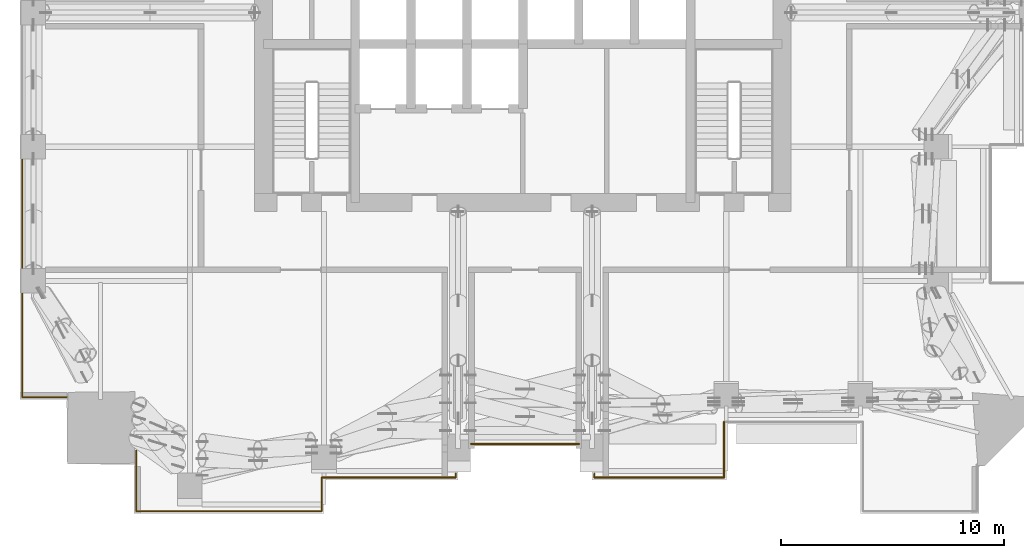
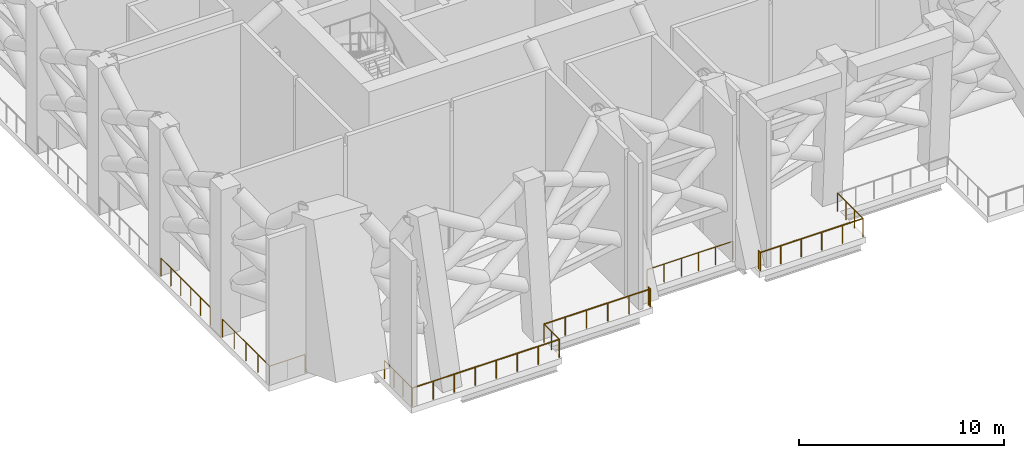
# One storey, part 15 of 19: 12 railings.
"""IFC4 building model written with IfcOpenShell, lengths in metres."""

from ifc_helpers import new_model, si_unit, direction, frame, origin, origin_2d, place, context, subcontext, project, spatial, circle, extrude, material, type_object, element, save


model = new_model("IFC4")

# Units and contexts
model_context = context("Model", 3, precision=1e-05, world=origin(), true_north=direction((0.0, 1.0)))
body_context = subcontext(model_context, "Body", "Model", "MODEL_VIEW")
ifc_project = project(units=[si_unit("LENGTHUNIT", "METRE"), si_unit("AREAUNIT", "SQUARE_METRE"), si_unit("VOLUMEUNIT", "CUBIC_METRE"), si_unit("PLANEANGLEUNIT", "RADIAN"), si_unit("MASSUNIT", "GRAM", prefix="KILO")], contexts=[model_context])

# Site, building, storey
site_placement = place(None, origin())
site = spatial("IfcSite", under=ifc_project, at=site_placement, CompositionType="ELEMENT")
building_placement = place(site_placement, origin())
building = spatial("IfcBuilding", under=site, at=building_placement, Name="Amberfall Residences", CompositionType="ELEMENT")
storey_placement = place(building_placement, frame((0.0, 0.0, 124.89990234375)))
storey = spatial("IfcBuildingStorey", under=building, at=storey_placement, Name="L34", CompositionType="ELEMENT", Elevation=124.89990234375)

# Railings
ifc_material = material(Name="Bronze anodised aluminium and laminated glass", Category="aluminium")
railing_type = type_object("IfcRailingType", Name="Refuge edge guard 1100", PredefinedType="GUARDRAIL", material=ifc_material)
railing_1_placement = place(storey_placement, frame((83.5, 24.10009765625, 0.0)))
element("IfcRailing", 1, at=railing_1_placement, inside=storey, type_object=railing_type, Name="Refuge edge guard L34 4", PredefinedType="GUARDRAIL", context=body_context, shape_type="SweptSolid", body=[
    extrude(circle(Radius=0.02392578125, at=origin_2d()), frame((0.0, 0.0, 1.076171875), z_axis=(0.0, -1.0, 0.0), x_axis=(1.0, 0.0, 0.0)), (0.0, 0.0, 1.0), 2.5),
    extrude(circle(Radius=0.02099609375, at=origin_2d()), origin(), (0.0, 0.0, 1.0), 1.052001953125),
    extrude(circle(Radius=0.02099609375, at=origin_2d()), frame((0.0, -0.833251953125, 0.0)), (0.0, 0.0, 1.0), 1.052001953125),
    extrude(circle(Radius=0.02099609375, at=origin_2d()), frame((0.0, -1.666748046875, 0.0)), (0.0, 0.0, 1.0), 1.052001953125),
    extrude(circle(Radius=0.02099609375, at=origin_2d()), frame((0.0, -2.5, 0.0)), (0.0, 0.0, 1.0), 1.052001953125),
])
railing_2_placement = place(storey_placement, frame((83.5, 21.60009765625, 0.0)))
element("IfcRailing", 2, at=railing_2_placement, inside=storey, type_object=railing_type, Name="Refuge edge guard L34 5", PredefinedType="GUARDRAIL", context=body_context, shape_type="SweptSolid", body=[
    extrude(circle(Radius=0.02392578125, at=origin_2d()), frame((0.0, 0.0, 1.076171875), z_axis=(-1.0, 0.0, 0.0), x_axis=(0.0, -1.0, 0.0)), (0.0, 0.0, 1.0), 5.800048828125),
    extrude(circle(Radius=0.02099609375, at=origin_2d()), origin(), (0.0, 0.0, 1.0), 1.052001953125),
    extrude(circle(Radius=0.02099609375, at=origin_2d()), frame((-1.159912109375, 0.0, 0.0)), (0.0, 0.0, 1.0), 1.052001953125),
    extrude(circle(Radius=0.02099609375, at=origin_2d()), frame((-2.320068359375, 0.0, 0.0)), (0.0, 0.0, 1.0), 1.052001953125),
    extrude(circle(Radius=0.02099609375, at=origin_2d()), frame((-3.47998046875, 0.0, 0.0)), (0.0, 0.0, 1.0), 1.052001953125),
    extrude(circle(Radius=0.02099609375, at=origin_2d()), frame((-4.64013671875, 0.0, 0.0)), (0.0, 0.0, 1.0), 1.052001953125),
    extrude(circle(Radius=0.02099609375, at=origin_2d()), frame((-5.800048828125, 0.0, 0.0)), (0.0, 0.0, 1.0), 1.052001953125),
])
railing_3_placement = place(storey_placement, frame((77.699951171875, 21.60009765625, 0.0)))
element("IfcRailing", 3, at=railing_3_placement, inside=storey, type_object=railing_type, Name="Refuge edge guard L34 6", PredefinedType="GUARDRAIL", context=body_context, shape_type="SweptSolid", body=[
    extrude(circle(Radius=0.02392578125, at=origin_2d()), frame((0.0, 0.0, 1.076171875), z_axis=(0.0, 1.0, 0.0), x_axis=(-1.0, 0.0, 0.0)), (0.0, 0.0, 1.0), 0.169921875),
    extrude(circle(Radius=0.02099609375, at=origin_2d()), origin(), (0.0, 0.0, 1.0), 1.052001953125),
    extrude(circle(Radius=0.02099609375, at=origin_2d()), frame((0.0, 0.169921875, 0.0)), (0.0, 0.0, 1.0), 1.052001953125),
])
railing_4_placement = place(storey_placement, frame((77.0224609375, 23.10009765625, 0.0)))
element("IfcRailing", 4, at=railing_4_placement, inside=storey, type_object=railing_type, Name="Refuge edge guard L34 7", PredefinedType="GUARDRAIL", context=body_context, shape_type="SweptSolid", body=[
    extrude(circle(Radius=0.02392578125, at=origin_2d()), frame((0.0, 0.0, 1.076171875), z_axis=(-1.0, 0.0, 0.0), x_axis=(0.0, -1.0, 0.0)), (0.0, 0.0, 1.0), 4.844970703125),
    extrude(circle(Radius=0.02099609375, at=origin_2d()), origin(), (0.0, 0.0, 1.0), 1.052001953125),
    extrude(circle(Radius=0.02099609375, at=origin_2d()), frame((-0.968994140625, 0.0, 0.0)), (0.0, 0.0, 1.0), 1.052001953125),
    extrude(circle(Radius=0.02099609375, at=origin_2d()), frame((-1.93798828125, 0.0, 0.0)), (0.0, 0.0, 1.0), 1.052001953125),
    extrude(circle(Radius=0.02099609375, at=origin_2d()), frame((-2.906982421875, 0.0, 0.0)), (0.0, 0.0, 1.0), 1.052001953125),
    extrude(circle(Radius=0.02099609375, at=origin_2d()), frame((-3.8759765625, 0.0, 0.0)), (0.0, 0.0, 1.0), 1.052001953125),
    extrude(circle(Radius=0.02099609375, at=origin_2d()), frame((-4.844970703125, 0.0, 0.0)), (0.0, 0.0, 1.0), 1.052001953125),
])
railing_5_placement = place(storey_placement, frame((71.5, 21.77001953125, 0.0)))
element("IfcRailing", 5, at=railing_5_placement, inside=storey, type_object=railing_type, Name="Refuge edge guard L34 8", PredefinedType="GUARDRAIL", context=body_context, shape_type="SweptSolid", body=[
    extrude(circle(Radius=0.02392578125, at=origin_2d()), frame((0.0, 0.0, 1.076171875), z_axis=(0.0, -1.0, 0.0), x_axis=(1.0, 0.0, 0.0)), (0.0, 0.0, 1.0), 0.169921875),
    extrude(circle(Radius=0.02099609375, at=origin_2d()), origin(), (0.0, 0.0, 1.0), 1.052001953125),
    extrude(circle(Radius=0.02099609375, at=origin_2d()), frame((0.0, -0.169921875, 0.0)), (0.0, 0.0, 1.0), 1.052001953125),
])
railing_6_placement = place(storey_placement, frame((71.5, 21.60009765625, 0.0)))
element("IfcRailing", 6, at=railing_6_placement, inside=storey, type_object=railing_type, Name="Refuge edge guard L34 9", PredefinedType="GUARDRAIL", context=body_context, shape_type="SweptSolid", body=[
    extrude(circle(Radius=0.02392578125, at=origin_2d()), frame((0.0, 0.0, 1.076171875), z_axis=(-1.0, 0.0, 0.0), x_axis=(0.0, -1.0, 0.0)), (0.0, 0.0, 1.0), 6.0),
    extrude(circle(Radius=0.02099609375, at=origin_2d()), origin(), (0.0, 0.0, 1.0), 1.052001953125),
    extrude(circle(Radius=0.02099609375, at=origin_2d()), frame((-1.199951171875, 0.0, 0.0)), (0.0, 0.0, 1.0), 1.052001953125),
    extrude(circle(Radius=0.02099609375, at=origin_2d()), frame((-2.39990234375, 0.0, 0.0)), (0.0, 0.0, 1.0), 1.052001953125),
    extrude(circle(Radius=0.02099609375, at=origin_2d()), frame((-3.60009765625, 0.0, 0.0)), (0.0, 0.0, 1.0), 1.052001953125),
    extrude(circle(Radius=0.02099609375, at=origin_2d()), frame((-4.800048828125, 0.0, 0.0)), (0.0, 0.0, 1.0), 1.052001953125),
    extrude(circle(Radius=0.02099609375, at=origin_2d()), frame((-6.0, 0.0, 0.0)), (0.0, 0.0, 1.0), 1.052001953125),
])
railing_7_placement = place(storey_placement, frame((65.5, 21.60009765625, 0.0)))
element("IfcRailing", 7, at=railing_7_placement, inside=storey, type_object=railing_type, Name="Refuge edge guard L34 10", PredefinedType="GUARDRAIL", context=body_context, shape_type="SweptSolid", body=[
    extrude(circle(Radius=0.02392578125, at=origin_2d()), frame((0.0, 0.0, 1.076171875), z_axis=(0.0, -1.0, 0.0), x_axis=(1.0, 0.0, 0.0)), (0.0, 0.0, 1.0), 1.5),
    extrude(circle(Radius=0.02099609375, at=origin_2d()), origin(), (0.0, 0.0, 1.0), 1.052001953125),
    extrude(circle(Radius=0.02099609375, at=origin_2d()), frame((0.0, -0.75, 0.0)), (0.0, 0.0, 1.0), 1.052001953125),
    extrude(circle(Radius=0.02099609375, at=origin_2d()), frame((0.0, -1.5, 0.0)), (0.0, 0.0, 1.0), 1.052001953125),
])
railing_8_placement = place(storey_placement, frame((65.5, 20.10009765625, 0.0)))
element("IfcRailing", 8, at=railing_8_placement, inside=storey, type_object=railing_type, Name="Refuge edge guard L34 11", PredefinedType="GUARDRAIL", context=body_context, shape_type="SweptSolid", body=[
    extrude(circle(Radius=0.02392578125, at=origin_2d()), frame((0.0, 0.0, 1.076171875), z_axis=(-1.0, 0.0, 0.0), x_axis=(0.0, -1.0, 0.0)), (0.0, 0.0, 1.0), 8.300048828125),
    extrude(circle(Radius=0.02099609375, at=origin_2d()), origin(), (0.0, 0.0, 1.0), 1.052001953125),
    extrude(circle(Radius=0.02099609375, at=origin_2d()), frame((-1.185791015625, 0.0, 0.0)), (0.0, 0.0, 1.0), 1.052001953125),
    extrude(circle(Radius=0.02099609375, at=origin_2d()), frame((-2.371337890625, 0.0, 0.0)), (0.0, 0.0, 1.0), 1.052001953125),
    extrude(circle(Radius=0.02099609375, at=origin_2d()), frame((-3.55712890625, 0.0, 0.0)), (0.0, 0.0, 1.0), 1.052001953125),
    extrude(circle(Radius=0.02099609375, at=origin_2d()), frame((-4.742919921875, 0.0, 0.0)), (0.0, 0.0, 1.0), 1.052001953125),
    extrude(circle(Radius=0.02099609375, at=origin_2d()), frame((-5.9287109375, 0.0, 0.0)), (0.0, 0.0, 1.0), 1.052001953125),
    extrude(circle(Radius=0.02099609375, at=origin_2d()), frame((-7.1142578125, 0.0, 0.0)), (0.0, 0.0, 1.0), 1.052001953125),
    extrude(circle(Radius=0.02099609375, at=origin_2d()), frame((-8.300048828125, 0.0, 0.0)), (0.0, 0.0, 1.0), 1.052001953125),
])
railing_9_placement = place(storey_placement, frame((57.199951171875, 20.10009765625, 0.0)))
element("IfcRailing", 9, at=railing_9_placement, inside=storey, type_object=railing_type, Name="Refuge edge guard L34 12", PredefinedType="GUARDRAIL", context=body_context, shape_type="SweptSolid", body=[
    extrude(circle(Radius=0.02392578125, at=origin_2d()), frame((0.0, 0.0, 1.076171875), z_axis=(0.0, 1.0, 0.0), x_axis=(-1.0, 0.0, 0.0)), (0.0, 0.0, 1.0), 2.698486328125),
    extrude(circle(Radius=0.02099609375, at=origin_2d()), origin(), (0.0, 0.0, 1.0), 1.052001953125),
    extrude(circle(Radius=0.02099609375, at=origin_2d()), frame((0.0, 0.8994140625, 0.0)), (0.0, 0.0, 1.0), 1.052001953125),
    extrude(circle(Radius=0.02099609375, at=origin_2d()), frame((0.0, 1.799072265625, 0.0)), (0.0, 0.0, 1.0), 1.052001953125),
    extrude(circle(Radius=0.02099609375, at=origin_2d()), frame((0.0, 2.698486328125, 0.0)), (0.0, 0.0, 1.0), 1.052001953125),
])
railing_10_placement = place(storey_placement, frame((54.08740234375, 25.199951171875, 0.0)))
element("IfcRailing", 10, at=railing_10_placement, inside=storey, type_object=railing_type, Name="Refuge edge guard L34 13", PredefinedType="GUARDRAIL", context=body_context, shape_type="SweptSolid", body=[
    extrude(circle(Radius=0.02392578125, at=origin_2d()), frame((0.0, 0.0, 1.076171875), z_axis=(-1.0, 0.0, 0.0), x_axis=(0.0, -1.0, 0.0)), (0.0, 0.0, 1.0), 1.9873046875),
    extrude(circle(Radius=0.02099609375, at=origin_2d()), origin(), (0.0, 0.0, 1.0), 1.052001953125),
    extrude(circle(Radius=0.02099609375, at=origin_2d()), frame((-0.99365234375, 0.0, 0.0)), (0.0, 0.0, 1.0), 1.052001953125),
    extrude(circle(Radius=0.02099609375, at=origin_2d()), frame((-1.9873046875, 0.0, 0.0)), (0.0, 0.0, 1.0), 1.052001953125),
])
railing_11_placement = place(storey_placement, frame((52.10009765625, 25.199951171875, 0.0)))
element("IfcRailing", 11, at=railing_11_placement, inside=storey, type_object=railing_type, Name="Refuge edge guard L34 14", PredefinedType="GUARDRAIL", context=body_context, shape_type="SweptSolid", body=[
    extrude(circle(Radius=0.02392578125, at=origin_2d()), frame((0.0, 0.0, 1.076171875), z_axis=(0.0, 1.0, 0.0), x_axis=(-1.0, 0.0, 0.0)), (0.0, 0.0, 1.0), 4.6201171875),
    extrude(circle(Radius=0.02099609375, at=origin_2d()), origin(), (0.0, 0.0, 1.0), 1.052001953125),
    extrude(circle(Radius=0.02099609375, at=origin_2d()), frame((0.0, 1.155029296875, 0.0)), (0.0, 0.0, 1.0), 1.052001953125),
    extrude(circle(Radius=0.02099609375, at=origin_2d()), frame((0.0, 2.31005859375, 0.0)), (0.0, 0.0, 1.0), 1.052001953125),
    extrude(circle(Radius=0.02099609375, at=origin_2d()), frame((0.0, 3.465087890625, 0.0)), (0.0, 0.0, 1.0), 1.052001953125),
    extrude(circle(Radius=0.02099609375, at=origin_2d()), frame((0.0, 4.6201171875, 0.0)), (0.0, 0.0, 1.0), 1.052001953125),
])
railing_12_placement = place(storey_placement, frame((52.10009765625, 30.97998046875, 0.0)))
element("IfcRailing", 12, at=railing_12_placement, inside=storey, type_object=railing_type, Name="Refuge edge guard L34 15", PredefinedType="GUARDRAIL", context=body_context, shape_type="SweptSolid", body=[
    extrude(circle(Radius=0.02392578125, at=origin_2d()), frame((0.0, 0.0, 1.076171875), z_axis=(0.0, 1.0, 0.0), x_axis=(-1.0, 0.0, 0.0)), (0.0, 0.0, 1.0), 4.840087890625),
    extrude(circle(Radius=0.02099609375, at=origin_2d()), origin(), (0.0, 0.0, 1.0), 1.052001953125),
    extrude(circle(Radius=0.02099609375, at=origin_2d()), frame((0.0, 0.968017578125, 0.0)), (0.0, 0.0, 1.0), 1.052001953125),
    extrude(circle(Radius=0.02099609375, at=origin_2d()), frame((0.0, 1.93603515625, 0.0)), (0.0, 0.0, 1.0), 1.052001953125),
    extrude(circle(Radius=0.02099609375, at=origin_2d()), frame((0.0, 2.904052734375, 0.0)), (0.0, 0.0, 1.0), 1.052001953125),
    extrude(circle(Radius=0.02099609375, at=origin_2d()), frame((0.0, 3.8720703125, 0.0)), (0.0, 0.0, 1.0), 1.052001953125),
    extrude(circle(Radius=0.02099609375, at=origin_2d()), frame((0.0, 4.840087890625, 0.0)), (0.0, 0.0, 1.0), 1.052001953125),
])

save(model, "model.ifc")
